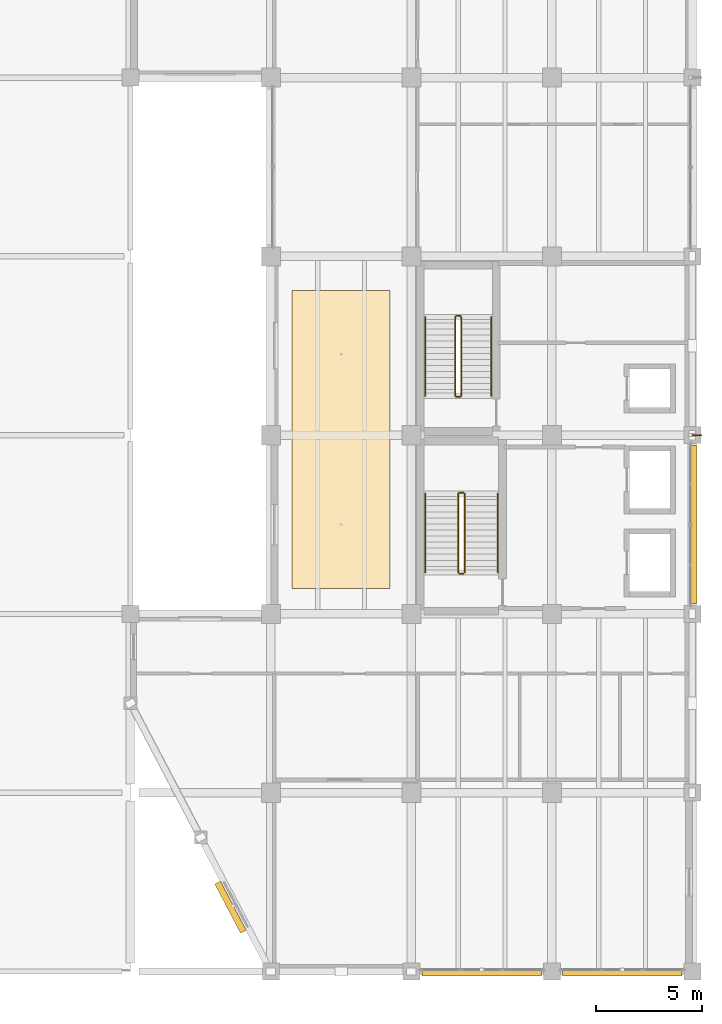
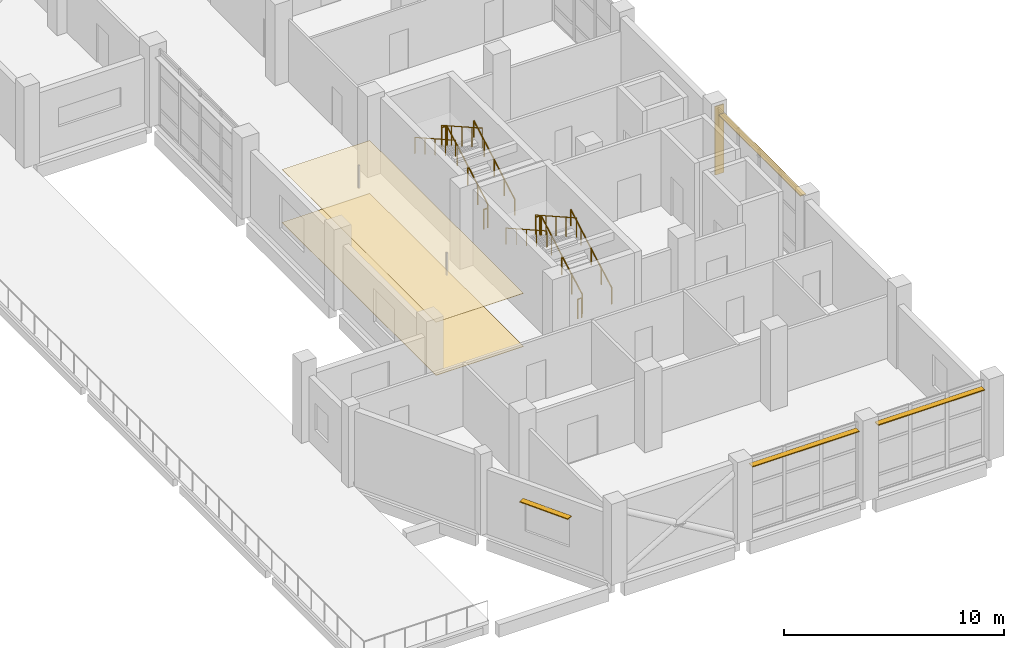
# One storey, part 78 of 83: 12 railings, 5 shading devices, 2 coverings.
"""IFC4 building model written with IfcOpenShell, lengths in metres."""

from ifc_helpers import new_model, si_unit, direction, frame, origin, origin_2d, place, context, subcontext, project, spatial, polyline, rectangle, circle, outline, extrude, material, layer, layer_set, type_object, element, save


model = new_model("IFC4")

# Units and contexts
model_context = context("Model", 3, precision=1e-05, world=origin(), true_north=direction((0.0, 1.0)))
body_context = subcontext(model_context, "Body", "Model", "MODEL_VIEW")
ifc_project = project(units=[si_unit("LENGTHUNIT", "METRE"), si_unit("AREAUNIT", "SQUARE_METRE"), si_unit("VOLUMEUNIT", "CUBIC_METRE"), si_unit("PLANEANGLEUNIT", "RADIAN"), si_unit("MASSUNIT", "GRAM", prefix="KILO")], contexts=[model_context])

# Site, building, storey
site_placement = place(None, origin())
site = spatial("IfcSite", under=ifc_project, at=site_placement, CompositionType="ELEMENT")
building_placement = place(site_placement, origin())
building = spatial("IfcBuilding", under=site, at=building_placement, Name="Qaldarim Faculty of Natural and Applied Sciences", CompositionType="ELEMENT")
storey_placement = place(building_placement, frame((0.0, 0.0, 5.39990234375)))
storey = spatial("IfcBuildingStorey", under=building, at=storey_placement, Name="L01", CompositionType="ELEMENT", Elevation=5.39990234375)

# Covering
ifc_material_1 = material(Name="Acoustic mineral fibre")
ifc_layer_1 = layer(ifc_material_1, 0.02001953125)
ifc_layer_set_1 = layer_set([ifc_layer_1], Name="Acoustic mineral fibre")
covering_type_1 = type_object("IfcCoveringType", Name="AcousticMineralCeiling-20", PredefinedType="CEILING", material=ifc_layer_set_1)
covering_1_placement = place(storey_placement, frame((0.0, 0.0, 2.9501953125)))
element("IfcCovering", 1, at=covering_1_placement, inside=storey, type_object=covering_type_1, Name="Acoustic corridor ceiling L01", PredefinedType="CEILING", context=body_context, shape_type="SweptSolid", body=[
    extrude(outline(polyline([(159.39990234375, 18.0), (164.0, 18.0), (164.0, 32.0), (159.39990234375, 32.0), (159.39990234375, 18.0)])), origin(), (0.0, 0.0, 1.0), 0.02001953125),
])

# Railings
ifc_material_2 = material(Name="Architectural stainless steel 316", Category="steel")
railing_type_1 = type_object("IfcRailingType", Name="GuardBalustrade-1100", PredefinedType="BALUSTRADE", material=ifc_material_2)
railing_1_placement = place(storey_placement, frame((167.5, 18.75, 0.16015625)))
element("IfcRailing", 2, at=railing_1_placement, inside=storey, type_object=railing_type_1, Name="ST-A1 L01 stair well guard 1", PredefinedType="BALUSTRADE", context=body_context, shape_type="SweptSolid", body=[
    extrude(circle(Radius=0.02392578125, at=origin_2d()), frame((0.0, 0.0, 1.076171875), z_axis=(0.0, 0.870998619023, 0.491285462496), x_axis=(-1.0, 0.0, 0.0)), (0.0, 0.0, 1.0), 4.25390625),
    extrude(circle(Radius=0.02099609375, at=origin_2d()), origin(), (0.0, 0.0, 1.0), 1.052001953125),
    extrude(circle(Radius=0.02099609375, at=origin_2d()), frame((0.0, 0.92626953125, 0.5224609375)), (0.0, 0.0, 1.0), 1.052001953125),
    extrude(circle(Radius=0.02099609375, at=origin_2d()), frame((0.0, 1.8525390625, 1.044921875)), (0.0, 0.0, 1.0), 1.052001953125),
    extrude(circle(Radius=0.02099609375, at=origin_2d()), frame((0.0, 2.77880859375, 1.5673828125)), (0.0, 0.0, 1.0), 1.052001953125),
    extrude(circle(Radius=0.02099609375, at=origin_2d()), frame((0.0, 3.705078125, 2.08984375)), (0.0, 0.0, 1.0), 1.052001953125),
])
railing_2_placement = place(storey_placement, frame((167.449951171875, 22.5048828125, 2.25)))
element("IfcRailing", 3, at=railing_2_placement, inside=storey, type_object=railing_type_1, Name="ST-A1 L01 stair well guard 2", PredefinedType="BALUSTRADE", context=body_context, shape_type="SweptSolid", body=[
    extrude(circle(Radius=0.02392578125, at=origin_2d()), frame((0.0, 0.0, 1.076171875), z_axis=(-1.0, 0.0, 0.0), x_axis=(0.0, -1.0, 0.0)), (0.0, 0.0, 1.0), 0.199951171875),
    extrude(circle(Radius=0.02099609375, at=origin_2d()), origin(), (0.0, 0.0, 1.0), 1.052001953125),
    extrude(circle(Radius=0.02099609375, at=origin_2d()), frame((-0.199951171875, 0.0, 0.0)), (0.0, 0.0, 1.0), 1.052001953125),
])
railing_3_placement = place(storey_placement, frame((167.199951171875, 22.455078125, 2.41015625)))
element("IfcRailing", 4, at=railing_3_placement, inside=storey, type_object=railing_type_1, Name="ST-A1 L01 stair well guard 3", PredefinedType="BALUSTRADE", context=body_context, shape_type="SweptSolid", body=[
    extrude(circle(Radius=0.02392578125, at=origin_2d()), frame((0.0, 0.0, 1.076171875), z_axis=(0.0, -0.870998619023, 0.491285462496), x_axis=(1.0, 0.0, 0.0)), (0.0, 0.0, 1.0), 4.25390625),
    extrude(circle(Radius=0.02099609375, at=origin_2d()), origin(), (0.0, 0.0, 1.0), 1.052001953125),
    extrude(circle(Radius=0.02099609375, at=origin_2d()), frame((0.0, -0.92626953125, 0.5224609375)), (0.0, 0.0, 1.0), 1.052001953125),
    extrude(circle(Radius=0.02099609375, at=origin_2d()), frame((0.0, -1.8525390625, 1.044921875)), (0.0, 0.0, 1.0), 1.052001953125),
    extrude(circle(Radius=0.02099609375, at=origin_2d()), frame((0.0, -2.77880859375, 1.5673828125)), (0.0, 0.0, 1.0), 1.052001953125),
    extrude(circle(Radius=0.02099609375, at=origin_2d()), frame((0.0, -3.705078125, 2.08984375)), (0.0, 0.0, 1.0), 1.052001953125),
])
railing_4_placement = place(storey_placement, frame((167.449951171875, 18.699951171875, 0.0)))
element("IfcRailing", 5, at=railing_4_placement, inside=storey, type_object=railing_type_1, Name="ST-A1 L01 stair well guard 4", PredefinedType="BALUSTRADE", context=body_context, shape_type="SweptSolid", body=[
    extrude(circle(Radius=0.02392578125, at=origin_2d()), frame((0.0, 0.0, 1.076171875), z_axis=(-1.0, 0.0, 0.0), x_axis=(0.0, -1.0, 0.0)), (0.0, 0.0, 1.0), 0.199951171875),
    extrude(circle(Radius=0.02099609375, at=origin_2d()), origin(), (0.0, 0.0, 1.0), 1.052001953125),
    extrude(circle(Radius=0.02099609375, at=origin_2d()), frame((-0.199951171875, 0.0, 0.0)), (0.0, 0.0, 1.0), 1.052001953125),
])
railing_5_placement = place(storey_placement, frame((167.35009765625, 27.050048828125, 0.16015625)))
element("IfcRailing", 6, at=railing_5_placement, inside=storey, type_object=railing_type_1, Name="ST-A2 L01 stair well guard 1", PredefinedType="BALUSTRADE", context=body_context, shape_type="SweptSolid", body=[
    extrude(circle(Radius=0.02392578125, at=origin_2d()), frame((0.0, 0.0, 1.076171875), z_axis=(0.0, 0.87098476549, 0.491310022576), x_axis=(-1.0, 0.0, 0.0)), (0.0, 0.0, 1.0), 4.253662109375),
    extrude(circle(Radius=0.02099609375, at=origin_2d()), origin(), (0.0, 0.0, 1.0), 1.052001953125),
    extrude(circle(Radius=0.02099609375, at=origin_2d()), frame((0.0, 0.92626953125, 0.5224609375)), (0.0, 0.0, 1.0), 1.052001953125),
    extrude(circle(Radius=0.02099609375, at=origin_2d()), frame((0.0, 1.8525390625, 1.044921875)), (0.0, 0.0, 1.0), 1.052001953125),
    extrude(circle(Radius=0.02099609375, at=origin_2d()), frame((0.0, 2.778564453125, 1.5673828125)), (0.0, 0.0, 1.0), 1.052001953125),
    extrude(circle(Radius=0.02099609375, at=origin_2d()), frame((0.0, 3.704833984375, 2.08984375)), (0.0, 0.0, 1.0), 1.052001953125),
])
railing_6_placement = place(storey_placement, frame((167.300048828125, 30.804931640625, 2.25)))
element("IfcRailing", 7, at=railing_6_placement, inside=storey, type_object=railing_type_1, Name="ST-A2 L01 stair well guard 2", PredefinedType="BALUSTRADE", context=body_context, shape_type="SweptSolid", body=[
    extrude(circle(Radius=0.02392578125, at=origin_2d()), frame((0.0, 0.0, 1.076171875), z_axis=(-1.0, 0.0, 0.0), x_axis=(0.0, -1.0, 0.0)), (0.0, 0.0, 1.0), 0.199951171875),
    extrude(circle(Radius=0.02099609375, at=origin_2d()), origin(), (0.0, 0.0, 1.0), 1.052001953125),
    extrude(circle(Radius=0.02099609375, at=origin_2d()), frame((-0.199951171875, 0.0, 0.0)), (0.0, 0.0, 1.0), 1.052001953125),
])
railing_7_placement = place(storey_placement, frame((167.050048828125, 30.7548828125, 2.41015625)))
element("IfcRailing", 8, at=railing_7_placement, inside=storey, type_object=railing_type_1, Name="ST-A2 L01 stair well guard 3", PredefinedType="BALUSTRADE", context=body_context, shape_type="SweptSolid", body=[
    extrude(circle(Radius=0.02392578125, at=origin_2d()), frame((0.0, 0.0, 1.076171875), z_axis=(0.0, -0.87098476549, 0.491310022576), x_axis=(1.0, 0.0, 0.0)), (0.0, 0.0, 1.0), 4.253662109375),
    extrude(circle(Radius=0.02099609375, at=origin_2d()), origin(), (0.0, 0.0, 1.0), 1.052001953125),
    extrude(circle(Radius=0.02099609375, at=origin_2d()), frame((0.0, -0.92626953125, 0.5224609375)), (0.0, 0.0, 1.0), 1.052001953125),
    extrude(circle(Radius=0.02099609375, at=origin_2d()), frame((0.0, -1.8525390625, 1.044921875)), (0.0, 0.0, 1.0), 1.052001953125),
    extrude(circle(Radius=0.02099609375, at=origin_2d()), frame((0.0, -2.778564453125, 1.5673828125)), (0.0, 0.0, 1.0), 1.052001953125),
    extrude(circle(Radius=0.02099609375, at=origin_2d()), frame((0.0, -3.704833984375, 2.08984375)), (0.0, 0.0, 1.0), 1.052001953125),
])
railing_8_placement = place(storey_placement, frame((167.300048828125, 27.0, 0.0)))
element("IfcRailing", 9, at=railing_8_placement, inside=storey, type_object=railing_type_1, Name="ST-A2 L01 stair well guard 4", PredefinedType="BALUSTRADE", context=body_context, shape_type="SweptSolid", body=[
    extrude(circle(Radius=0.02392578125, at=origin_2d()), frame((0.0, 0.0, 1.076171875), z_axis=(-1.0, 0.0, 0.0), x_axis=(0.0, -1.0, 0.0)), (0.0, 0.0, 1.0), 0.199951171875),
    extrude(circle(Radius=0.02099609375, at=origin_2d()), origin(), (0.0, 0.0, 1.0), 1.052001953125),
    extrude(circle(Radius=0.02099609375, at=origin_2d()), frame((-0.199951171875, 0.0, 0.0)), (0.0, 0.0, 1.0), 1.052001953125),
])

# Shading devices
ifc_material_3 = material(Name="Champagne anodised aluminium AW-6063", Category="aluminium")
ifc_layer_2 = layer(ifc_material_3, 0.050048828125)
ifc_layer_set_2 = layer_set([ifc_layer_2], Name="Champagne anodised aluminium AW-6063")
shading_device_type_1 = type_object("IfcShadingDeviceType", Name="SolarLouvre-ALU300x50", PredefinedType="JALOUSIE", material=ifc_layer_set_2)
for number, where, z_axis, x_axis, name in (
    (10, (168.300048828125, -0.070068359375, 3.8251953125), (0.0, 0.0, 1.0), (1.0, 0.0, 0.0), "Horizontal solar louvre L01 S X26Y01"),
    (11, (174.89990234375, -0.070068359375, 3.8251953125), (0.0, 0.0, 1.0), (1.0, 0.0, 0.0), "Horizontal solar louvre L01 S X27Y01"),
):
    element("IfcShadingDevice", number, at=place(storey_placement, frame(where, z_axis=z_axis, x_axis=x_axis)), inside=storey, type_object=shading_device_type_1, Name=name, PredefinedType="JALOUSIE", context=body_context, shape_type="SweptSolid", body=[
        extrude(rectangle(XDim=5.610107421875, YDim=0.300048828125, at=origin_2d()), origin(), (0.0, 0.0, 1.0), 0.050048828125),
    ])
shading_device_1_placement = place(storey_placement, frame((178.27001953125, 21.0, 3.8251953125), z_axis=(0.0, 0.0, 1.0), x_axis=(0.0, 1.0, 0.0)))
element("IfcShadingDevice", 12, at=shading_device_1_placement, inside=storey, type_object=shading_device_type_1, Name="Horizontal solar louvre L01 E X27Y03", PredefinedType="JALOUSIE", context=body_context, shape_type="SweptSolid", body=[
    extrude(rectangle(XDim=7.409912109375, YDim=0.300048828125, at=origin_2d()), origin(), (0.0, 0.0, 1.0), 0.050048828125),
])
shading_device_2_placement = place(storey_placement, frame((156.5, 3.02001953125, 2.67529296875), z_axis=(0.0, 0.0, 1.0), x_axis=(0.46447113214, -0.885588260654, 0.0)))
element("IfcShadingDevice", 13, at=shading_device_2_placement, inside=storey, type_object=shading_device_type_1, Name="Oblique facade horizontal solar louvre SHD-OBL-SW-L01-2", PredefinedType="JALOUSIE", context=body_context, shape_type="SweptSolid", body=[
    extrude(rectangle(XDim=2.60009765625, YDim=0.300048828125, at=origin_2d()), origin(), (0.0, 0.0, 1.0), 0.050048828125),
])

# Railings
railing_type_2 = type_object("IfcRailingType", Name="StairHandrail-920", PredefinedType="HANDRAIL", material=ifc_material_2)
railing_9_placement = place(storey_placement, frame((169.050048828125, 18.75, 0.16015625)))
element("IfcRailing", 14, at=railing_9_placement, inside=storey, type_object=railing_type_2, Name="ST-A1 L01 stair handrail 1", PredefinedType="HANDRAIL", context=body_context, shape_type="SweptSolid", body=[
    extrude(circle(Radius=0.02392578125, at=origin_2d()), frame((0.0, 0.0, 0.89599609375), z_axis=(0.0, 0.870998619023, 0.491285462496), x_axis=(-1.0, 0.0, 0.0)), (0.0, 0.0, 1.0), 4.25390625),
    extrude(circle(Radius=0.02099609375, at=origin_2d()), origin(), (0.0, 0.0, 1.0), 0.871826171875),
    extrude(circle(Radius=0.02099609375, at=origin_2d()), frame((0.0, 0.92626953125, 0.5224609375)), (0.0, 0.0, 1.0), 0.871826171875),
    extrude(circle(Radius=0.02099609375, at=origin_2d()), frame((0.0, 1.8525390625, 1.044921875)), (0.0, 0.0, 1.0), 0.871826171875),
    extrude(circle(Radius=0.02099609375, at=origin_2d()), frame((0.0, 2.77880859375, 1.5673828125)), (0.0, 0.0, 1.0), 0.871826171875),
    extrude(circle(Radius=0.02099609375, at=origin_2d()), frame((0.0, 3.705078125, 2.08984375)), (0.0, 0.0, 1.0), 0.871826171875),
])
railing_10_placement = place(storey_placement, frame((165.64990234375, 22.455078125, 2.41015625)))
element("IfcRailing", 15, at=railing_10_placement, inside=storey, type_object=railing_type_2, Name="ST-A1 L01 stair handrail 2", PredefinedType="HANDRAIL", context=body_context, shape_type="SweptSolid", body=[
    extrude(circle(Radius=0.02392578125, at=origin_2d()), frame((0.0, 0.0, 0.89599609375), z_axis=(0.0, -0.870998619023, 0.491285462496), x_axis=(1.0, 0.0, 0.0)), (0.0, 0.0, 1.0), 4.25390625),
    extrude(circle(Radius=0.02099609375, at=origin_2d()), origin(), (0.0, 0.0, 1.0), 0.871826171875),
    extrude(circle(Radius=0.02099609375, at=origin_2d()), frame((0.0, -0.92626953125, 0.5224609375)), (0.0, 0.0, 1.0), 0.871826171875),
    extrude(circle(Radius=0.02099609375, at=origin_2d()), frame((0.0, -1.8525390625, 1.044921875)), (0.0, 0.0, 1.0), 0.871826171875),
    extrude(circle(Radius=0.02099609375, at=origin_2d()), frame((0.0, -2.77880859375, 1.5673828125)), (0.0, 0.0, 1.0), 0.871826171875),
    extrude(circle(Radius=0.02099609375, at=origin_2d()), frame((0.0, -3.705078125, 2.08984375)), (0.0, 0.0, 1.0), 0.871826171875),
])
railing_11_placement = place(storey_placement, frame((168.75, 27.050048828125, 0.16015625)))
element("IfcRailing", 16, at=railing_11_placement, inside=storey, type_object=railing_type_2, Name="ST-A2 L01 stair handrail 1", PredefinedType="HANDRAIL", context=body_context, shape_type="SweptSolid", body=[
    extrude(circle(Radius=0.02392578125, at=origin_2d()), frame((0.0, 0.0, 0.89599609375), z_axis=(0.0, 0.87098476549, 0.491310022576), x_axis=(-1.0, 0.0, 0.0)), (0.0, 0.0, 1.0), 4.253662109375),
    extrude(circle(Radius=0.02099609375, at=origin_2d()), origin(), (0.0, 0.0, 1.0), 0.871826171875),
    extrude(circle(Radius=0.02099609375, at=origin_2d()), frame((0.0, 0.92626953125, 0.5224609375)), (0.0, 0.0, 1.0), 0.871826171875),
    extrude(circle(Radius=0.02099609375, at=origin_2d()), frame((0.0, 1.8525390625, 1.044921875)), (0.0, 0.0, 1.0), 0.871826171875),
    extrude(circle(Radius=0.02099609375, at=origin_2d()), frame((0.0, 2.778564453125, 1.5673828125)), (0.0, 0.0, 1.0), 0.871826171875),
    extrude(circle(Radius=0.02099609375, at=origin_2d()), frame((0.0, 3.704833984375, 2.08984375)), (0.0, 0.0, 1.0), 0.871826171875),
])
railing_12_placement = place(storey_placement, frame((165.64990234375, 30.7548828125, 2.41015625)))
element("IfcRailing", 17, at=railing_12_placement, inside=storey, type_object=railing_type_2, Name="ST-A2 L01 stair handrail 2", PredefinedType="HANDRAIL", context=body_context, shape_type="SweptSolid", body=[
    extrude(circle(Radius=0.02392578125, at=origin_2d()), frame((0.0, 0.0, 0.89599609375), z_axis=(0.0, -0.87098476549, 0.491310022576), x_axis=(1.0, 0.0, 0.0)), (0.0, 0.0, 1.0), 4.253662109375),
    extrude(circle(Radius=0.02099609375, at=origin_2d()), origin(), (0.0, 0.0, 1.0), 0.871826171875),
    extrude(circle(Radius=0.02099609375, at=origin_2d()), frame((0.0, -0.92626953125, 0.5224609375)), (0.0, 0.0, 1.0), 0.871826171875),
    extrude(circle(Radius=0.02099609375, at=origin_2d()), frame((0.0, -1.8525390625, 1.044921875)), (0.0, 0.0, 1.0), 0.871826171875),
    extrude(circle(Radius=0.02099609375, at=origin_2d()), frame((0.0, -2.778564453125, 1.5673828125)), (0.0, 0.0, 1.0), 0.871826171875),
    extrude(circle(Radius=0.02099609375, at=origin_2d()), frame((0.0, -3.704833984375, 2.08984375)), (0.0, 0.0, 1.0), 0.871826171875),
])

# Covering
ifc_material_4 = material(Name="Terrazzo stone finish", Category="masonry")
ifc_layer_3 = layer(ifc_material_4, 0.02490234375)
ifc_layer_set_3 = layer_set([ifc_layer_3], Name="Terrazzo stone finish")
covering_type_2 = type_object("IfcCoveringType", Name="TerrazzoFlooring-25", PredefinedType="FLOORING", material=ifc_layer_set_3)
covering_2_placement = place(storey_placement, origin())
element("IfcCovering", 18, at=covering_2_placement, inside=storey, type_object=covering_type_2, Name="Polished terrazzo corridor flooring L01", PredefinedType="FLOORING", context=body_context, shape_type="SweptSolid", body=[
    extrude(outline(polyline([(159.39990234375, 18.0), (164.0, 18.0), (164.0, 32.0), (159.39990234375, 32.0), (159.39990234375, 18.0)])), origin(), (0.0, 0.0, 1.0), 0.025146484375),
])

# Shading device
ifc_layer_4 = layer(ifc_material_3, 0.06005859375)
ifc_layer_set_4 = layer_set([ifc_layer_4], Name="Champagne anodised aluminium AW-6063")
shading_device_type_2 = type_object("IfcShadingDeviceType", Name="VerticalSunFin-ALU450x60", PredefinedType="SHUTTER", material=ifc_layer_set_4)
shading_device_3_placement = place(storey_placement, frame((178.425048828125, 25.199951171875, 0.2001953125), z_axis=(0.0, 0.0, 1.0), x_axis=(1.0, 0.0, 0.0)))
element("IfcShadingDevice", 19, at=shading_device_3_placement, inside=storey, type_object=shading_device_type_2, Name="Vertical solar fin FIN-L01-X28Y04", PredefinedType="SHUTTER", context=body_context, shape_type="SweptSolid", body=[
    extrude(rectangle(XDim=0.449951171875, YDim=0.06005859375, at=origin_2d()), origin(), (0.0, 0.0, 1.0), 3.800048828125),
])

save(model, "model.ifc")
